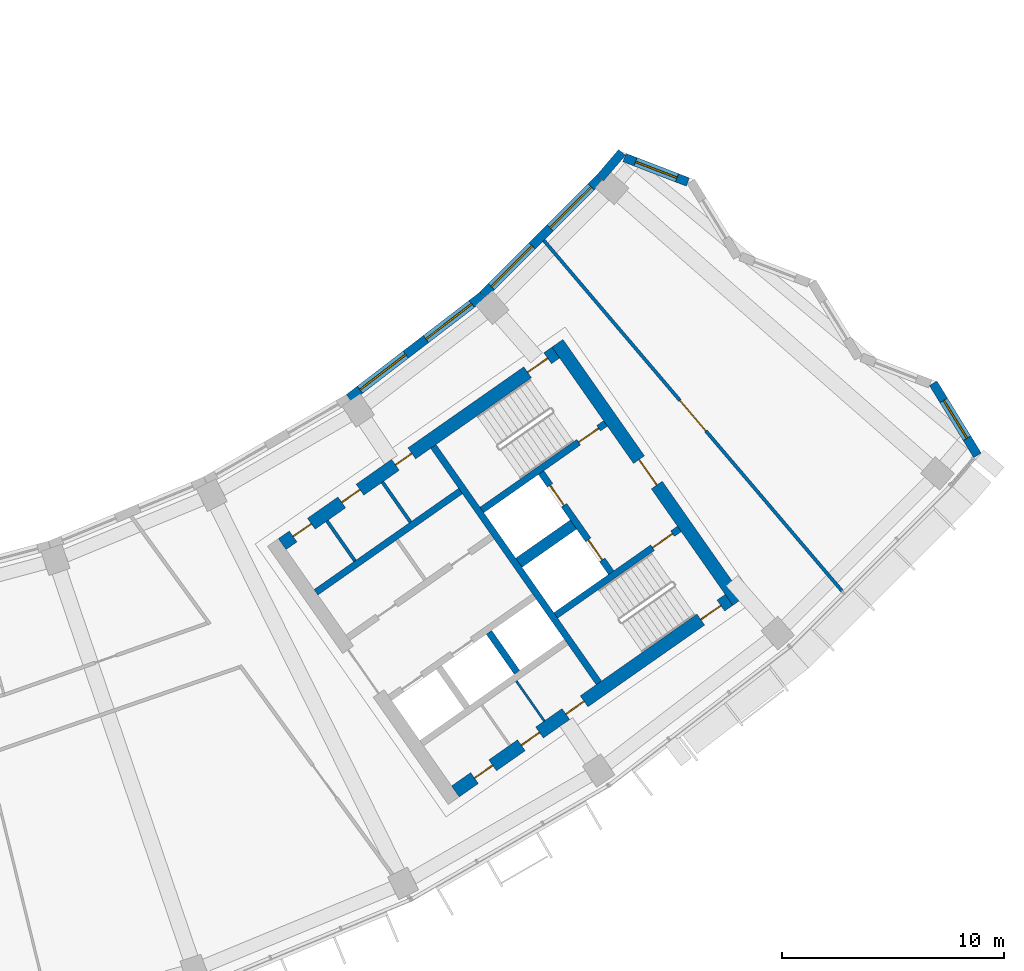
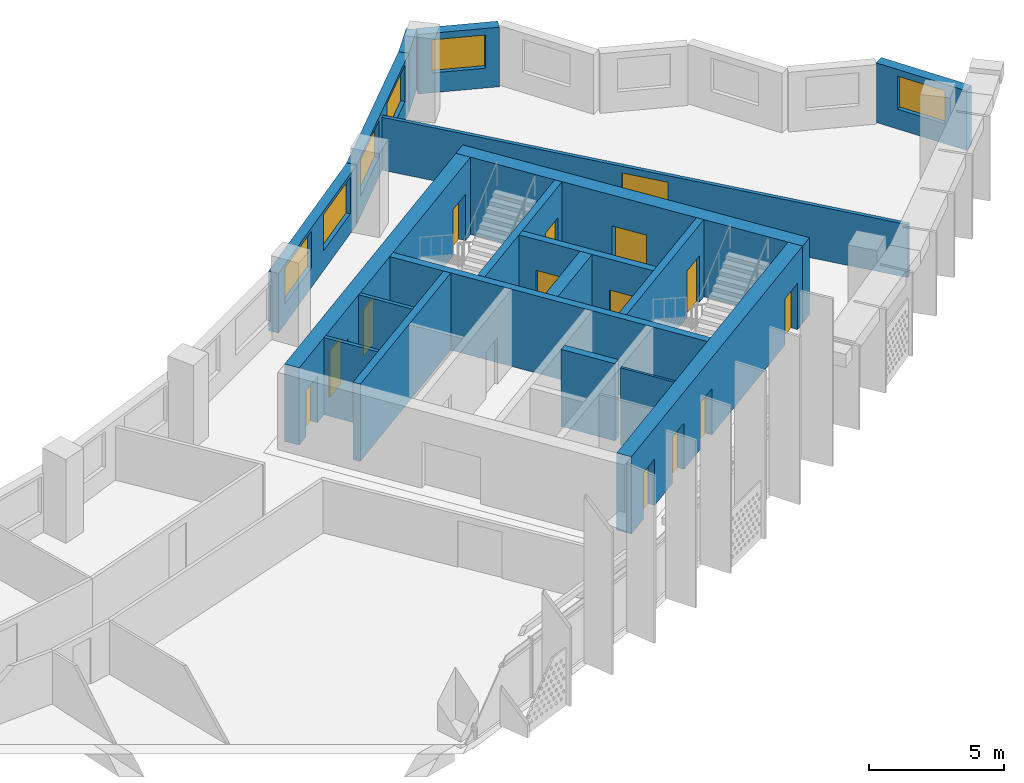
# One storey, part 7 of 27: 19 walls, 14 doors, 6 windows, 20 openings.
"""IFC4 building model written with IfcOpenShell, lengths in metres."""

from ifc_helpers import new_model, si_unit, direction, frame, frame_2d, origin, place, context, subcontext, project, spatial, rectangle, extrude, material, layer, layer_set, type_object, element, fill, save


model = new_model("IFC4")

# Units and contexts
model_context = context("Model", 3, precision=1e-05, world=origin(), true_north=direction((0.0, 1.0)))
body_context = subcontext(model_context, "Body", "Model", "MODEL_VIEW")
ifc_project = project(units=[si_unit("LENGTHUNIT", "METRE"), si_unit("AREAUNIT", "SQUARE_METRE"), si_unit("VOLUMEUNIT", "CUBIC_METRE"), si_unit("PLANEANGLEUNIT", "RADIAN"), si_unit("MASSUNIT", "GRAM", prefix="KILO")], contexts=[model_context])

# Site, building, storey
site_placement = place(None, origin())
site = spatial("IfcSite", under=ifc_project, at=site_placement, CompositionType="ELEMENT")
building_placement = place(site_placement, origin())
building = spatial("IfcBuilding", under=site, at=building_placement, Name="Qamariyya Broadcast Tower", CompositionType="ELEMENT")
storey_placement = place(building_placement, frame((0.0, 0.0, 211.300048828125)))
storey = spatial("IfcBuildingStorey", under=building, at=storey_placement, Name="L50", CompositionType="ELEMENT", Elevation=211.300048828125)

# Wall, opening, door
ifc_material_1 = material(Name="Concrete C60/75", Category="concrete")
ifc_layer_1 = layer(ifc_material_1, 0.60009765625)
ifc_layer_set_1 = layer_set([ifc_layer_1], Name="Core wall 600 mm Concrete C60/75")
wall_type_1 = type_object("IfcWallType", Name="Core wall 600 mm Concrete C60/75", PredefinedType="SHEAR", material=ifc_layer_set_1)
wall_1_placement = place(storey_placement, frame((49.4833984375, -57.031494140625, 0.0), z_axis=(0.0, 0.0, 1.0), x_axis=(-0.573560421458, 0.819163257805, 0.0)))
wall_1 = element("IfcWall", 1, at=wall_1_placement, inside=storey, type_object=wall_type_1, Name="k-E-L50-WH", PredefinedType="SHEAR", context=body_context, shape_type="SweptSolid", body=[
    extrude(rectangle(XDim=14.199951171875, YDim=0.60009765625, at=frame_2d((7.10009765625, 0.0))), origin(), (0.0, 0.0, 1.0), 3.5),
])
opening_1_placement = place(wall_1_placement, frame((6.39990234375, 0.0, 0.0)))
opening_1 = element("IfcOpeningElement", 2, at=opening_1_placement, cuts=wall_1, Name="Opening KD2-E1", PredefinedType="OPENING", context=body_context, shape_type="SweptSolid", body=[
    extrude(rectangle(XDim=1.39990234375, YDim=2.10009765625, at=frame_2d((0.699951171875, 1.050048828125))), frame((0.0, 0.31005859375, 0.0), z_axis=(0.0, -1.0, 0.0), x_axis=(1.0, 0.0, 0.0)), (0.0, 0.0, 1.0), 0.6201171875),
])
ifc_material_2 = material(Name="Steel fire-resisting door leaf", Category="steel")
door_type_1 = type_object("IfcDoorType", Name="Fire-fighting lobby door KD2", OperationType="DOUBLE_DOOR_SINGLE_SWING", PredefinedType="DOOR", material=ifc_material_2)
door_1_placement = place(opening_1_placement, origin())
door_1 = element("IfcDoor", 3, at=door_1_placement, inside=storey, type_object=door_type_1, Name="k-E-L50-WH-D14", OperationType="DOUBLE_DOOR_SINGLE_SWING", OverallHeight=2.10009765625, OverallWidth=1.39990234375, PredefinedType="DOOR", context=body_context, shape_type="SweptSolid", body=[
    extrude(rectangle(XDim=1.39990234375, YDim=2.10009765625, at=frame_2d((0.699951171875, 1.050048828125))), frame((0.0, 0.02490234375, 0.0), z_axis=(0.0, -1.0, 0.0), x_axis=(1.0, 0.0, 0.0)), (0.0, 0.0, 1.0), 0.050048828125),
])
fill(opening_1, door_1)

# Wall, openings, doors
wall_2_placement = place(storey_placement, frame((28.940673828125, -54.447021484375, 0.0), z_axis=(0.0, 0.0, 1.0), x_axis=(0.819153391756, 0.573574511963, 0.0)))
wall_2 = element("IfcWall", 4, at=wall_2_placement, inside=storey, type_object=wall_type_1, Name="k-E-L50-WI", PredefinedType="SHEAR", context=body_context, shape_type="SweptSolid", body=[
    extrude(rectangle(XDim=15.04541015625, YDim=0.60009765625, at=frame_2d((7.522705078125, 0.0))), origin(), (0.0, 0.0, 1.0), 3.5),
])
opening_2_placement = place(wall_2_placement, frame((0.60009765625, 0.0, 0.0)))
opening_2 = element("IfcOpeningElement", 5, at=opening_2_placement, cuts=wall_2, Name="Opening KD7-E1", PredefinedType="OPENING", context=body_context, shape_type="SweptSolid", body=[
    extrude(rectangle(XDim=1.0, YDim=2.10009765625, at=frame_2d((0.5, 1.050048828125))), frame((0.0, 0.31005859375, 0.0), z_axis=(0.0, -1.0, 0.0), x_axis=(1.0, 0.0, 0.0)), (0.0, 0.0, 1.0), 0.6201171875),
])
opening_3_placement = place(wall_2_placement, frame((3.27490234375, 0.0, 0.0)))
opening_3 = element("IfcOpeningElement", 6, at=opening_3_placement, cuts=wall_2, Name="Opening KD6-E3", PredefinedType="OPENING", context=body_context, shape_type="SweptSolid", body=[
    extrude(rectangle(XDim=1.0, YDim=2.10009765625, at=frame_2d((0.5, 1.050048828125))), frame((0.0, 0.31005859375, 0.0), z_axis=(0.0, -1.0, 0.0), x_axis=(1.0, 0.0, 0.0)), (0.0, 0.0, 1.0), 0.6201171875),
])
opening_4_placement = place(wall_2_placement, frame((6.22509765625, 0.0, 0.0)))
opening_4 = element("IfcOpeningElement", 7, at=opening_4_placement, cuts=wall_2, Name="Opening KD5-E1", PredefinedType="OPENING", context=body_context, shape_type="SweptSolid", body=[
    extrude(rectangle(XDim=0.89990234375, YDim=2.10009765625, at=frame_2d((0.449951171875, 1.050048828125))), frame((0.0, 0.31005859375, 0.0), z_axis=(0.0, -1.0, 0.0), x_axis=(1.0, 0.0, 0.0)), (0.0, 0.0, 1.0), 0.6201171875),
])
opening_5_placement = place(wall_2_placement, frame((13.495361328125, 0.0, 0.0)))
opening_5 = element("IfcOpeningElement", 8, at=opening_5_placement, cuts=wall_2, Name="Opening KD1-E1", PredefinedType="OPENING", context=body_context, shape_type="SweptSolid", body=[
    extrude(rectangle(XDim=1.10009765625, YDim=2.10009765625, at=frame_2d((0.550048828125, 1.050048828125))), frame((0.0, 0.31005859375, 0.0), z_axis=(0.0, -1.0, 0.0), x_axis=(1.0, 0.0, 0.0)), (0.0, 0.0, 1.0), 0.6201171875),
])
door_type_2 = type_object("IfcDoorType", Name="Accessible toilet door KD7", OperationType="SINGLE_SWING_LEFT", PredefinedType="DOOR", material=ifc_material_2)
door_2_placement = place(opening_2_placement, origin())
door_2 = element("IfcDoor", 9, at=door_2_placement, inside=storey, type_object=door_type_2, Name="k-E-L50-WI-D6", OperationType="SINGLE_SWING_RIGHT", OverallHeight=2.10009765625, OverallWidth=1.0, PredefinedType="DOOR", context=body_context, shape_type="SweptSolid", body=[
    extrude(rectangle(XDim=1.0, YDim=2.10009765625, at=frame_2d((0.5, 1.050048828125))), frame((0.0, 0.02490234375, 0.0), z_axis=(0.0, -1.0, 0.0), x_axis=(1.0, 0.0, 0.0)), (0.0, 0.0, 1.0), 0.050048828125),
])
fill(opening_2, door_2)
door_type_3 = type_object("IfcDoorType", Name="Core room door KD6", OperationType="SINGLE_SWING_LEFT", PredefinedType="DOOR", material=ifc_material_2)
door_3_placement = place(opening_3_placement, origin())
door_3 = element("IfcDoor", 10, at=door_3_placement, inside=storey, type_object=door_type_3, Name="k-E-L50-WI-D7", OperationType="SINGLE_SWING_LEFT", OverallHeight=2.10009765625, OverallWidth=1.0, PredefinedType="DOOR", context=body_context, shape_type="SweptSolid", body=[
    extrude(rectangle(XDim=1.0, YDim=2.10009765625, at=frame_2d((0.5, 1.050048828125))), frame((0.0, 0.02490234375, 0.0), z_axis=(0.0, -1.0, 0.0), x_axis=(1.0, 0.0, 0.0)), (0.0, 0.0, 1.0), 0.050048828125),
])
fill(opening_3, door_3)
door_type_4 = type_object("IfcDoorType", Name="Stair door KD1", OperationType="SINGLE_SWING_LEFT", PredefinedType="DOOR", material=ifc_material_2)
door_4_placement = place(opening_5_placement, origin())
door_4 = element("IfcDoor", 11, at=door_4_placement, inside=storey, type_object=door_type_4, Name="k-E-L50-WI-D15", OperationType="SINGLE_SWING_RIGHT", OverallHeight=2.10009765625, OverallWidth=1.10009765625, PredefinedType="DOOR", context=body_context, shape_type="SweptSolid", body=[
    extrude(rectangle(XDim=1.10009765625, YDim=2.10009765625, at=frame_2d((0.550048828125, 1.050048828125))), frame((0.0, 0.02490234375, 0.0), z_axis=(0.0, -1.0, 0.0), x_axis=(1.0, 0.0, 0.0)), (0.0, 0.0, 1.0), 0.050048828125),
])
fill(opening_5, door_4)
door_type_5 = type_object("IfcDoorType", Name="Toilet door KD5", OperationType="SINGLE_SWING_LEFT", PredefinedType="DOOR", material=ifc_material_2)
door_5_placement = place(opening_4_placement, origin())
door_5 = element("IfcDoor", 12, at=door_5_placement, inside=storey, type_object=door_type_5, Name="k-E-L50-WI-D8", OperationType="SINGLE_SWING_RIGHT", OverallHeight=2.10009765625, OverallWidth=0.89990234375, PredefinedType="DOOR", context=body_context, shape_type="SweptSolid", body=[
    extrude(rectangle(XDim=0.89990234375, YDim=2.10009765625, at=frame_2d((0.449951171875, 1.050048828125))), frame((0.0, 0.02490234375, 0.0), z_axis=(0.0, -1.0, 0.0), x_axis=(1.0, 0.0, 0.0)), (0.0, 0.0, 1.0), 0.050048828125),
])
fill(opening_4, door_5)

wall_3_placement = place(storey_placement, frame((36.7412109375, -65.58740234375, 0.0), z_axis=(0.0, 0.0, 1.0), x_axis=(0.819153391756, 0.573574511963, 0.0)))
wall_3 = element("IfcWall", 13, at=wall_3_placement, inside=storey, type_object=wall_type_1, Name="k-E-L50-WO", PredefinedType="SHEAR", context=body_context, shape_type="SweptSolid", body=[
    extrude(rectangle(XDim=15.04541015625, YDim=0.60009765625, at=frame_2d((7.522705078125, 0.0))), origin(), (0.0, 0.0, 1.0), 3.5),
])
opening_6_placement = place(wall_3_placement, frame((1.050048828125, 0.0, 0.0)))
opening_6 = element("IfcOpeningElement", 14, at=opening_6_placement, cuts=wall_3, Name="Opening KD4-E1", PredefinedType="OPENING", context=body_context, shape_type="SweptSolid", body=[
    extrude(rectangle(XDim=1.0, YDim=2.10009765625, at=frame_2d((0.5, 1.050048828125))), frame((0.0, 0.31005859375, 0.0), z_axis=(0.0, -1.0, 0.0), x_axis=(1.0, 0.0, 0.0)), (0.0, 0.0, 1.0), 0.6201171875),
])
opening_7_placement = place(wall_3_placement, frame((3.625, 0.0, 0.0)))
opening_7 = element("IfcOpeningElement", 15, at=opening_7_placement, cuts=wall_3, Name="Opening KD4-E2", PredefinedType="OPENING", context=body_context, shape_type="SweptSolid", body=[
    extrude(rectangle(XDim=1.0, YDim=2.10009765625, at=frame_2d((0.5, 1.050048828125))), frame((0.0, 0.31005859375, 0.0), z_axis=(0.0, -1.0, 0.0), x_axis=(1.0, 0.0, 0.0)), (0.0, 0.0, 1.0), 0.6201171875),
])
opening_8_placement = place(wall_3_placement, frame((6.074951171875, 0.0, 0.0)))
opening_8 = element("IfcOpeningElement", 16, at=opening_8_placement, cuts=wall_3, Name="Opening KD6-E4", PredefinedType="OPENING", context=body_context, shape_type="SweptSolid", body=[
    extrude(rectangle(XDim=1.0, YDim=2.10009765625, at=frame_2d((0.5, 1.050048828125))), frame((0.0, 0.31005859375, 0.0), z_axis=(0.0, -1.0, 0.0), x_axis=(1.0, 0.0, 0.0)), (0.0, 0.0, 1.0), 0.6201171875),
])
opening_9_placement = place(wall_3_placement, frame((13.495361328125, 0.0, 0.0)))
opening_9 = element("IfcOpeningElement", 17, at=opening_9_placement, cuts=wall_3, Name="Opening KD1-E3", PredefinedType="OPENING", context=body_context, shape_type="SweptSolid", body=[
    extrude(rectangle(XDim=1.10009765625, YDim=2.10009765625, at=frame_2d((0.550048828125, 1.050048828125))), frame((0.0, 0.31005859375, 0.0), z_axis=(0.0, -1.0, 0.0), x_axis=(1.0, 0.0, 0.0)), (0.0, 0.0, 1.0), 0.6201171875),
])
door_6_placement = place(opening_8_placement, origin())
door_6 = element("IfcDoor", 18, at=door_6_placement, inside=storey, type_object=door_type_3, Name="k-E-L50-WO-D11", OperationType="SINGLE_SWING_LEFT", OverallHeight=2.10009765625, OverallWidth=1.0, PredefinedType="DOOR", context=body_context, shape_type="SweptSolid", body=[
    extrude(rectangle(XDim=1.0, YDim=2.10009765625, at=frame_2d((0.5, 1.050048828125))), frame((0.0, 0.02490234375, 0.0), z_axis=(0.0, -1.0, 0.0), x_axis=(1.0, 0.0, 0.0)), (0.0, 0.0, 1.0), 0.050048828125),
])
fill(opening_8, door_6)
door_type_6 = type_object("IfcDoorType", Name="Riser and plant door KD4", OperationType="SINGLE_SWING_LEFT", PredefinedType="DOOR", material=ifc_material_2)
door_7_placement = place(opening_6_placement, origin())
door_7 = element("IfcDoor", 19, at=door_7_placement, inside=storey, type_object=door_type_6, Name="k-E-L50-WO-D9", OperationType="SINGLE_SWING_LEFT", OverallHeight=2.10009765625, OverallWidth=1.0, PredefinedType="DOOR", context=body_context, shape_type="SweptSolid", body=[
    extrude(rectangle(XDim=1.0, YDim=2.10009765625, at=frame_2d((0.5, 1.050048828125))), frame((0.0, 0.02490234375, 0.0), z_axis=(0.0, -1.0, 0.0), x_axis=(1.0, 0.0, 0.0)), (0.0, 0.0, 1.0), 0.050048828125),
])
fill(opening_6, door_7)
door_8_placement = place(opening_7_placement, origin())
door_8 = element("IfcDoor", 20, at=door_8_placement, inside=storey, type_object=door_type_6, Name="k-E-L50-WO-D10", OperationType="SINGLE_SWING_RIGHT", OverallHeight=2.10009765625, OverallWidth=1.0, PredefinedType="DOOR", context=body_context, shape_type="SweptSolid", body=[
    extrude(rectangle(XDim=1.0, YDim=2.10009765625, at=frame_2d((0.5, 1.050048828125))), frame((0.0, 0.02490234375, 0.0), z_axis=(0.0, -1.0, 0.0), x_axis=(1.0, 0.0, 0.0)), (0.0, 0.0, 1.0), 0.050048828125),
])
fill(opening_7, door_8)
door_9_placement = place(opening_9_placement, origin())
door_9 = element("IfcDoor", 21, at=door_9_placement, inside=storey, type_object=door_type_4, Name="k-E-L50-WO-D17", OperationType="SINGLE_SWING_LEFT", OverallHeight=2.10009765625, OverallWidth=1.10009765625, PredefinedType="DOOR", context=body_context, shape_type="SweptSolid", body=[
    extrude(rectangle(XDim=1.10009765625, YDim=2.10009765625, at=frame_2d((0.550048828125, 1.050048828125))), frame((0.0, 0.02490234375, 0.0), z_axis=(0.0, -1.0, 0.0), x_axis=(1.0, 0.0, 0.0)), (0.0, 0.0, 1.0), 0.050048828125),
])
fill(opening_9, door_9)

# Wall, opening, door
ifc_material_3 = material(Name="Gypsum board partition")
ifc_layer_2 = layer(ifc_material_3, 0.14990234375)
ifc_layer_set_2 = layer_set([ifc_layer_2], Name="Corridor partition 150 EI 60")
wall_type_2 = type_object("IfcWallType", Name="Corridor partition 150 EI 60", PredefinedType="PARTITIONING", material=ifc_layer_set_2)
wall_4_placement = place(storey_placement, frame((40.724853515625, -40.7705078125, 0.0), z_axis=(0.0, 0.0, 1.0), x_axis=(0.647962636986, -0.761672121762, 0.0)))
wall_4 = element("IfcWall", 22, at=wall_4_placement, inside=storey, type_object=wall_type_2, Name="Partition L50-026", PredefinedType="PARTITIONING", context=body_context, shape_type="SweptSolid", body=[
    extrude(rectangle(XDim=20.723388671875, YDim=0.14990234375, at=frame_2d((10.36181640625, 0.0))), origin(), (0.0, 0.0, 1.0), 2.39990234375),
])
opening_10_placement = place(wall_4_placement, frame((9.461669921875, 0.0, 0.0)))
opening_10 = element("IfcOpeningElement", 23, at=opening_10_placement, cuts=wall_4, Name="Opening L50-D13", PredefinedType="OPENING", context=body_context, shape_type="SweptSolid", body=[
    extrude(rectangle(XDim=1.800048828125, YDim=2.10009765625, at=frame_2d((0.89990234375, 1.050048828125))), frame((0.0, 0.0849609375, 0.0), z_axis=(0.0, -1.0, 0.0), x_axis=(1.0, 0.0, 0.0)), (0.0, 0.0, 1.0), 0.169921875),
])
ifc_material_4 = material(Name="Timber fire door leaf", Category="wood")
door_type_7 = type_object("IfcDoorType", Name="Double fire door 1800 x 2100 FD60", OperationType="NOTDEFINED", PredefinedType="DOOR", material=ifc_material_4)
door_10_placement = place(opening_10_placement, origin())
door_10 = element("IfcDoor", 24, at=door_10_placement, inside=storey, type_object=door_type_7, Name="Door L50-D13", OperationType="DOUBLE_DOOR_SINGLE_SWING", OverallHeight=2.10009765625, OverallWidth=1.800048828125, PredefinedType="DOOR", context=body_context, shape_type="SweptSolid", body=[
    extrude(rectangle(XDim=1.800048828125, YDim=2.10009765625, at=frame_2d((0.89990234375, 1.050048828125))), frame((0.0, 0.02490234375, 0.0), z_axis=(0.0, -1.0, 0.0), x_axis=(1.0, 0.0, 0.0)), (0.0, 0.0, 1.0), 0.050048828125),
])
fill(opening_10, door_10)

# Walls
ifc_layer_3 = layer(ifc_material_1, 0.5)
ifc_layer_set_3 = layer_set([ifc_layer_3], Name="Fire-fighting lobby divider wall 500 mm Concrete C60/75")
wall_type_3 = type_object("IfcWallType", Name="Fire-fighting lobby divider wall 500 mm Concrete C60/75", PredefinedType="SOLIDWALL", material=ifc_layer_set_3)
wall_5_placement = place(storey_placement, frame((39.59912109375, -55.28515625, 0.0), z_axis=(0.0, 0.0, 1.0), x_axis=(0.819136323161, 0.573598887793, 0.0)))
element("IfcWall", 25, at=wall_5_placement, inside=storey, type_object=wall_type_3, Name="k-E-L50-FD", PredefinedType="SOLIDWALL", context=body_context, shape_type="SweptSolid", body=[
    extrude(rectangle(XDim=2.999755859375, YDim=0.5, at=frame_2d((1.5, 0.0))), origin(), (0.0, 0.0, 1.0), 3.5),
])
ifc_material_5 = material(Name="Gypsum board partition on steel studs", Category="steel")
ifc_layer_4 = layer(ifc_material_5, 0.14990234375)
ifc_layer_set_4 = layer_set([ifc_layer_4], Name="Gypsum board partition 150 mm")
wall_type_4 = type_object("IfcWallType", Name="Gypsum board partition 150 mm", PredefinedType="PARTITIONING", material=ifc_layer_set_4)
wall_6_placement = place(storey_placement, frame((32.2177734375, -55.204345703125, 0.0), z_axis=(0.0, 0.0, 1.0), x_axis=(-0.573581496053, 0.819148501424, 0.0)))
element("IfcWall", 26, at=wall_6_placement, inside=storey, type_object=wall_type_4, Name="k-E-L50-NP225", PredefinedType="PARTITIONING", context=body_context, shape_type="SweptSolid", body=[
    extrude(rectangle(XDim=2.2001953125, YDim=0.14990234375, at=frame_2d((1.10009765625, 0.0))), origin(), (0.0, 0.0, 1.0), 3.5),
])
wall_7_placement = place(storey_placement, frame((34.716064453125, -53.454833984375, 0.0), z_axis=(0.0, 0.0, 1.0), x_axis=(-0.573507030513, 0.819200638399, 0.0)))
element("IfcWall", 27, at=wall_7_placement, inside=storey, type_object=wall_type_4, Name="k-E-L50-NP530", PredefinedType="PARTITIONING", context=body_context, shape_type="SweptSolid", body=[
    extrude(rectangle(XDim=2.199951171875, YDim=0.14990234375, at=frame_2d((1.10009765625, 0.0))), origin(), (0.0, 0.0, 1.0), 3.5),
])
ifc_layer_5 = layer(ifc_material_1, 0.300048828125)
ifc_layer_set_5 = layer_set([ifc_layer_5], Name="Lift shaft wall 300 mm Concrete C60/75")
wall_type_5 = type_object("IfcWallType", Name="Lift shaft wall 300 mm Concrete C60/75", PredefinedType="SOLIDWALL", material=ifc_layer_set_5)
wall_8_placement = place(storey_placement, frame((43.204345703125, -60.69580078125, 0.0), z_axis=(0.0, 0.0, 1.0), x_axis=(-0.573571992966, 0.819155155563, 0.0)))
element("IfcWall", 28, at=wall_8_placement, inside=storey, type_object=wall_type_5, Name="k-E-L50-WL", PredefinedType="SOLIDWALL", context=body_context, shape_type="SweptSolid", body=[
    extrude(rectangle(XDim=13.000244140625, YDim=0.300048828125, at=frame_2d((6.5, 0.0))), origin(), (0.0, 0.0, 1.0), 3.5),
])
wall_9_placement = place(storey_placement, frame((30.460693359375, -56.61767578125, 0.0), z_axis=(0.0, 0.0, 1.0), x_axis=(0.819142461705, 0.573590121456, 0.0)))
element("IfcWall", 29, at=wall_9_placement, inside=storey, type_object=wall_type_5, Name="k-E-L50-NB0", PredefinedType="SOLIDWALL", context=body_context, shape_type="SweptSolid", body=[
    extrude(rectangle(XDim=7.949951171875, YDim=0.300048828125, at=frame_2d((3.97509765625, 0.0))), origin(), (0.0, 0.0, 1.0), 3.5),
])
wall_10_placement = place(storey_placement, frame((38.255859375, -58.423095703125, 0.0), z_axis=(0.0, 0.0, 1.0), x_axis=(0.573633636671, -0.819111989218, 0.0)))
element("IfcWall", 30, at=wall_10_placement, inside=storey, type_object=wall_type_5, Name="k-E-L50-SD1", PredefinedType="SOLIDWALL", context=body_context, shape_type="SweptSolid", body=[
    extrude(rectangle(XDim=2.199951171875, YDim=0.300048828125, at=frame_2d((1.10009765625, 0.0))), origin(), (0.0, 0.0, 1.0), 3.5),
])

# Wall, opening, door
wall_11_placement = place(storey_placement, frame((37.935546875, -52.90966796875, 0.0), z_axis=(0.0, 0.0, 1.0), x_axis=(0.819147518138, 0.57358290031, 0.0)))
wall_11 = element("IfcWall", 31, at=wall_11_placement, inside=storey, type_object=wall_type_5, Name="k-E-L50-NW", PredefinedType="SOLIDWALL", context=body_context, shape_type="SweptSolid", body=[
    extrude(rectangle(XDim=6.79541015625, YDim=0.300048828125, at=frame_2d((3.397705078125, 0.0))), origin(), (0.0, 0.0, 1.0), 3.5),
])
opening_11_placement = place(wall_11_placement, frame((5.3203125, 0.0, 0.0)))
opening_11 = element("IfcOpeningElement", 32, at=opening_11_placement, cuts=wall_11, Name="Opening KD1-E2", PredefinedType="OPENING", context=body_context, shape_type="SweptSolid", body=[
    extrude(rectangle(XDim=1.10009765625, YDim=2.10009765625, at=frame_2d((0.550048828125, 1.050048828125))), frame((0.0, 0.159912109375, 0.0), z_axis=(0.0, -1.0, 0.0), x_axis=(1.0, 0.0, 0.0)), (0.0, 0.0, 1.0), 0.320068359375),
])
door_11_placement = place(opening_11_placement, origin())
door_11 = element("IfcDoor", 33, at=door_11_placement, inside=storey, type_object=door_type_4, Name="k-E-L50-NW-D16", OperationType="SINGLE_SWING_RIGHT", OverallHeight=2.10009765625, OverallWidth=1.10009765625, PredefinedType="DOOR", context=body_context, shape_type="SweptSolid", body=[
    extrude(rectangle(XDim=1.10009765625, YDim=2.10009765625, at=frame_2d((0.550048828125, 1.050048828125))), frame((0.0, 0.02490234375, 0.0), z_axis=(0.0, -1.0, 0.0), x_axis=(1.0, 0.0, 0.0)), (0.0, 0.0, 1.0), 0.050048828125),
])
fill(opening_11, door_11)

wall_12_placement = place(storey_placement, frame((41.262451171875, -57.66064453125, 0.0), z_axis=(0.0, 0.0, 1.0), x_axis=(0.819164398642, 0.573558792102, 0.0)))
wall_12 = element("IfcWall", 34, at=wall_12_placement, inside=storey, type_object=wall_type_5, Name="k-E-L50-SW", PredefinedType="SOLIDWALL", context=body_context, shape_type="SweptSolid", body=[
    extrude(rectangle(XDim=6.795166015625, YDim=0.300048828125, at=frame_2d((3.3974609375, 0.0))), origin(), (0.0, 0.0, 1.0), 3.5),
])
opening_12_placement = place(wall_12_placement, frame((5.3203125, 0.0, 0.0)))
opening_12 = element("IfcOpeningElement", 35, at=opening_12_placement, cuts=wall_12, Name="Opening KD1-E4", PredefinedType="OPENING", context=body_context, shape_type="SweptSolid", body=[
    extrude(rectangle(XDim=1.10009765625, YDim=2.10009765625, at=frame_2d((0.550048828125, 1.050048828125))), frame((0.0, 0.159912109375, 0.0), z_axis=(0.0, -1.0, 0.0), x_axis=(1.0, 0.0, 0.0)), (0.0, 0.0, 1.0), 0.320068359375),
])
door_12_placement = place(opening_12_placement, origin())
door_12 = element("IfcDoor", 36, at=door_12_placement, inside=storey, type_object=door_type_4, Name="k-E-L50-SW-D18", OperationType="SINGLE_SWING_RIGHT", OverallHeight=2.10009765625, OverallWidth=1.10009765625, PredefinedType="DOOR", context=body_context, shape_type="SweptSolid", body=[
    extrude(rectangle(XDim=1.10009765625, YDim=2.10009765625, at=frame_2d((0.550048828125, 1.050048828125))), frame((0.0, 0.02490234375, 0.0), z_axis=(0.0, -1.0, 0.0), x_axis=(1.0, 0.0, 0.0)), (0.0, 0.0, 1.0), 0.050048828125),
])
fill(opening_12, door_12)

# Wall, openings, doors
wall_13_placement = place(storey_placement, frame((43.756591796875, -55.731201171875, 0.0), z_axis=(0.0, 0.0, 1.0), x_axis=(-0.573536818435, 0.819179783625, 0.0)))
wall_13 = element("IfcWall", 37, at=wall_13_placement, inside=storey, type_object=wall_type_5, Name="k-E-L50-FF", PredefinedType="SOLIDWALL", context=body_context, shape_type="SweptSolid", body=[
    extrude(rectangle(XDim=5.500244140625, YDim=0.300048828125, at=frame_2d((2.75, 0.0))), origin(), (0.0, 0.0, 1.0), 3.5),
])
opening_13_placement = place(wall_13_placement, frame((0.699951171875, 0.0, 0.0)))
opening_13 = element("IfcOpeningElement", 38, at=opening_13_placement, cuts=wall_13, Name="Opening LD", PredefinedType="OPENING", context=body_context, shape_type="SweptSolid", body=[
    extrude(rectangle(XDim=1.10009765625, YDim=2.10009765625, at=frame_2d((0.550048828125, 1.050048828125))), frame((0.0, 0.159912109375, 0.0), z_axis=(0.0, -1.0, 0.0), x_axis=(1.0, 0.0, 0.0)), (0.0, 0.0, 1.0), 0.320068359375),
])
opening_14_placement = place(wall_13_placement, frame((3.699951171875, 0.0, 0.0)))
opening_14 = element("IfcOpeningElement", 39, at=opening_14_placement, cuts=wall_13, Name="Opening LD", PredefinedType="OPENING", context=body_context, shape_type="SweptSolid", body=[
    extrude(rectangle(XDim=1.10009765625, YDim=2.10009765625, at=frame_2d((0.550048828125, 1.050048828125))), frame((0.0, 0.159912109375, 0.0), z_axis=(0.0, -1.0, 0.0), x_axis=(1.0, 0.0, 0.0)), (0.0, 0.0, 1.0), 0.320068359375),
])
door_type_8 = type_object("IfcDoorType", Name="Lift landing door LD", OperationType="DOUBLE_DOOR_SLIDING", PredefinedType="DOOR", material=ifc_material_2)
door_13_placement = place(opening_13_placement, origin())
door_13 = element("IfcDoor", 40, at=door_13_placement, inside=storey, type_object=door_type_8, Name="k-E-L50-FF-D12", OperationType="DOUBLE_DOOR_SLIDING", OverallHeight=2.10009765625, OverallWidth=1.10009765625, PredefinedType="DOOR", context=body_context, shape_type="SweptSolid", body=[
    extrude(rectangle(XDim=1.10009765625, YDim=2.10009765625, at=frame_2d((0.550048828125, 1.050048828125))), frame((0.0, 0.02490234375, 0.0), z_axis=(0.0, -1.0, 0.0), x_axis=(1.0, 0.0, 0.0)), (0.0, 0.0, 1.0), 0.050048828125),
])
fill(opening_13, door_13)
door_14_placement = place(opening_14_placement, origin())
door_14 = element("IfcDoor", 41, at=door_14_placement, inside=storey, type_object=door_type_8, Name="k-E-L50-FF-D13", OperationType="DOUBLE_DOOR_SLIDING", OverallHeight=2.10009765625, OverallWidth=1.10009765625, PredefinedType="DOOR", context=body_context, shape_type="SweptSolid", body=[
    extrude(rectangle(XDim=1.10009765625, YDim=2.10009765625, at=frame_2d((0.550048828125, 1.050048828125))), frame((0.0, 0.02490234375, 0.0), z_axis=(0.0, -1.0, 0.0), x_axis=(1.0, 0.0, 0.0)), (0.0, 0.0, 1.0), 0.050048828125),
])
fill(opening_14, door_14)

# Wall
ifc_material_6 = material(Name="Fire-rated gypsum shaft liner on steel studs", Category="steel")
ifc_layer_6 = layer(ifc_material_6, 0.10009765625)
ifc_layer_set_6 = layer_set([ifc_layer_6], Name="Riser wall 100 mm")
wall_type_6 = type_object("IfcWallType", Name="Riser wall 100 mm", PredefinedType="PLUMBINGWALL", material=ifc_layer_set_6)
wall_14_placement = place(storey_placement, frame((39.485107421875, -60.6142578125, 0.0), z_axis=(0.0, 0.0, 1.0), x_axis=(0.573507030513, -0.819200638399, 0.0)))
element("IfcWall", 42, at=wall_14_placement, inside=storey, type_object=wall_type_6, Name="k-E-L50-SP510", PredefinedType="PLUMBINGWALL", context=body_context, shape_type="SweptSolid", body=[
    extrude(rectangle(XDim=2.199951171875, YDim=0.10009765625, at=frame_2d((1.10009765625, 0.0))), origin(), (0.0, 0.0, 1.0), 3.5),
])

# Wall, opening, window
ifc_material_7 = material(Name="Terracotta", Category="masonry")
ifc_layer_7 = layer(ifc_material_7, 0.39990234375)
ifc_layer_set_7 = layer_set([ifc_layer_7], Name="Terracotta clad wall 400")
wall_type_7 = type_object("IfcWallType", Name="Terracotta clad wall 400", PredefinedType="SOLIDWALL", material=ifc_layer_set_7)
wall_15_placement = place(storey_placement, frame((60.257568359375, -50.446533203125, 0.0), z_axis=(0.0, 0.0, 1.0), x_axis=(-0.523600248506, 0.851964071874, 0.0)))
wall_15 = element("IfcWall", 43, at=wall_15_placement, inside=storey, type_object=wall_type_7, Name="e-wl-L50-capE0", PredefinedType="SOLIDWALL", context=body_context, shape_type="SweptSolid", body=[
    extrude(rectangle(XDim=3.80908203125, YDim=0.39990234375, at=frame_2d((1.904541015625, 0.0))), origin(), (0.0, 0.0, 1.0), 2.699951171875),
])
opening_15_placement = place(wall_15_placement, frame((0.904296875, 0.0, 0.89990234375)))
opening_15 = element("IfcOpeningElement", 44, at=opening_15_placement, cuts=wall_15, Name="Opening W4", PredefinedType="OPENING", context=body_context, shape_type="SweptSolid", body=[
    extrude(rectangle(XDim=2.0, YDim=1.5, at=frame_2d((1.0, 0.75))), frame((0.0, 0.2099609375, 0.0), z_axis=(0.0, -1.0, 0.0), x_axis=(1.0, 0.0, 0.0)), (0.0, 0.0, 1.0), 0.419921875),
])
ifc_material_8 = material(Name="Clear low-e double glazed unit in aluminium frame", Category="aluminium")
window_type_1 = type_object("IfcWindowType", Name="Horn bay window 2000 x 1500", PartitioningType="SINGLE_PANEL", PredefinedType="WINDOW", material=ifc_material_8)
window_1_placement = place(opening_15_placement, origin())
window_1 = element("IfcWindow", 45, at=window_1_placement, inside=storey, type_object=window_type_1, Name="e-w-L50-capE0", OverallHeight=1.5, OverallWidth=2.0, PartitioningType="SINGLE_PANEL", PredefinedType="WINDOW", context=body_context, shape_type="SweptSolid", body=[
    extrude(rectangle(XDim=2.0, YDim=1.5, at=frame_2d((1.0, 0.75))), frame((0.0, 0.030029296875, 0.0), z_axis=(0.0, -1.0, 0.0), x_axis=(1.0, 0.0, 0.0)), (0.0, 0.0, 1.0), 0.06005859375),
])
fill(opening_15, window_1)

wall_16_placement = place(storey_placement, frame((47.21240234375, -38.135498046875, 0.0), z_axis=(0.0, 0.0, 1.0), x_axis=(-0.933193311435, 0.359374795295, 0.0)))
wall_16 = element("IfcWall", 46, at=wall_16_placement, inside=storey, type_object=wall_type_7, Name="e-wl-L50-capE5", PredefinedType="SOLIDWALL", context=body_context, shape_type="SweptSolid", body=[
    extrude(rectangle(XDim=3.05908203125, YDim=0.39990234375, at=frame_2d((1.529541015625, 0.0))), origin(), (0.0, 0.0, 1.0), 2.699951171875),
])
opening_16_placement = place(wall_16_placement, frame((0.529541015625, 0.0, 0.89990234375)))
opening_16 = element("IfcOpeningElement", 47, at=opening_16_placement, cuts=wall_16, Name="Opening W4", PredefinedType="OPENING", context=body_context, shape_type="SweptSolid", body=[
    extrude(rectangle(XDim=2.0, YDim=1.5, at=frame_2d((1.0, 0.75))), frame((0.0, 0.2099609375, 0.0), z_axis=(0.0, -1.0, 0.0), x_axis=(1.0, 0.0, 0.0)), (0.0, 0.0, 1.0), 0.419921875),
])
window_2_placement = place(opening_16_placement, origin())
window_2 = element("IfcWindow", 48, at=window_2_placement, inside=storey, type_object=window_type_1, Name="e-w-L50-capE5", OverallHeight=1.5, OverallWidth=2.0, PartitioningType="SINGLE_PANEL", PredefinedType="WINDOW", context=body_context, shape_type="SweptSolid", body=[
    extrude(rectangle(XDim=2.0, YDim=1.5, at=frame_2d((1.0, 0.75))), frame((0.0, 0.030029296875, 0.0), z_axis=(0.0, -1.0, 0.0), x_axis=(1.0, 0.0, 0.0)), (0.0, 0.0, 1.0), 0.06005859375),
])
fill(opening_16, window_2)

# Wall, openings, windows
wall_17_placement = place(storey_placement, frame((37.965576171875, -43.25341796875, 0.0), z_axis=(0.0, 0.0, 1.0), x_axis=(-0.793356365089, -0.608757486995, 0.0)))
wall_17 = element("IfcWall", 49, at=wall_17_placement, inside=storey, type_object=wall_type_7, Name="e-wl-L50-in130", PredefinedType="SOLIDWALL", context=body_context, shape_type="SweptSolid", body=[
    extrude(rectangle(XDim=7.578125, YDim=0.39990234375, at=frame_2d((3.7890625, 0.0))), origin(), (0.0, 0.0, 1.0), 2.699951171875),
])
opening_17_placement = place(wall_17_placement, frame((4.364501953125, 0.0, 0.89990234375)))
opening_17 = element("IfcOpeningElement", 50, at=opening_17_placement, cuts=wall_17, Name="Opening W1", PredefinedType="OPENING", context=body_context, shape_type="SweptSolid", body=[
    extrude(rectangle(XDim=2.60009765625, YDim=1.64990234375, at=frame_2d((1.300048828125, 0.824951171875))), frame((0.0, 0.2099609375, 0.0), z_axis=(0.0, -1.0, 0.0), x_axis=(1.0, 0.0, 0.0)), (0.0, 0.0, 1.0), 0.419921875),
])
opening_18_placement = place(wall_17_placement, frame((0.613525390625, 0.0, 0.89990234375)))
opening_18 = element("IfcOpeningElement", 51, at=opening_18_placement, cuts=wall_17, Name="Opening W1", PredefinedType="OPENING", context=body_context, shape_type="SweptSolid", body=[
    extrude(rectangle(XDim=2.60009765625, YDim=1.64990234375, at=frame_2d((1.300048828125, 0.824951171875))), frame((0.0, 0.2099609375, 0.0), z_axis=(0.0, -1.0, 0.0), x_axis=(1.0, 0.0, 0.0)), (0.0, 0.0, 1.0), 0.419921875),
])
window_type_2 = type_object("IfcWindowType", Name="Ribbon window 2600 x 1650", PartitioningType="SINGLE_PANEL", PredefinedType="WINDOW", material=ifc_material_8)
window_3_placement = place(opening_17_placement, origin())
window_3 = element("IfcWindow", 52, at=window_3_placement, inside=storey, type_object=window_type_2, Name="e-w-L50-in13-0", OverallHeight=1.64990234375, OverallWidth=2.60009765625, PartitioningType="SINGLE_PANEL", PredefinedType="WINDOW", context=body_context, shape_type="SweptSolid", body=[
    extrude(rectangle(XDim=2.60009765625, YDim=1.64990234375, at=frame_2d((1.300048828125, 0.824951171875))), frame((0.0, 0.030029296875, 0.0), z_axis=(0.0, -1.0, 0.0), x_axis=(1.0, 0.0, 0.0)), (0.0, 0.0, 1.0), 0.06005859375),
])
fill(opening_17, window_3)
window_4_placement = place(opening_18_placement, origin())
window_4 = element("IfcWindow", 53, at=window_4_placement, inside=storey, type_object=window_type_2, Name="e-w-L50-in13-1", OverallHeight=1.64990234375, OverallWidth=2.60009765625, PartitioningType="SINGLE_PANEL", PredefinedType="WINDOW", context=body_context, shape_type="SweptSolid", body=[
    extrude(rectangle(XDim=2.60009765625, YDim=1.64990234375, at=frame_2d((1.300048828125, 0.824951171875))), frame((0.0, 0.030029296875, 0.0), z_axis=(0.0, -1.0, 0.0), x_axis=(1.0, 0.0, 0.0)), (0.0, 0.0, 1.0), 0.06005859375),
])
fill(opening_18, window_4)

wall_18_placement = place(storey_placement, frame((43.243408203125, -37.970947265625, 0.0), z_axis=(0.0, 0.0, 1.0), x_axis=(-0.707106781187, -0.707106781187, 0.0)))
wall_18 = element("IfcWall", 54, at=wall_18_placement, inside=storey, type_object=wall_type_7, Name="e-wl-L50-in140", PredefinedType="SOLIDWALL", context=body_context, shape_type="SweptSolid", body=[
    extrude(rectangle(XDim=7.441650390625, YDim=0.39990234375, at=frame_2d((3.720703125, 0.0))), origin(), (0.0, 0.0, 1.0), 2.699951171875),
])
opening_19_placement = place(wall_18_placement, frame((4.3037109375, 0.0, 0.89990234375)))
opening_19 = element("IfcOpeningElement", 55, at=opening_19_placement, cuts=wall_18, Name="Opening W1", PredefinedType="OPENING", context=body_context, shape_type="SweptSolid", body=[
    extrude(rectangle(XDim=2.60009765625, YDim=1.64990234375, at=frame_2d((1.300048828125, 0.824951171875))), frame((0.0, 0.2099609375, 0.0), z_axis=(0.0, -1.0, 0.0), x_axis=(1.0, 0.0, 0.0)), (0.0, 0.0, 1.0), 0.419921875),
])
opening_20_placement = place(wall_18_placement, frame((0.552734375, 0.0, 0.89990234375)))
opening_20 = element("IfcOpeningElement", 56, at=opening_20_placement, cuts=wall_18, Name="Opening W1", PredefinedType="OPENING", context=body_context, shape_type="SweptSolid", body=[
    extrude(rectangle(XDim=2.60009765625, YDim=1.64990234375, at=frame_2d((1.300048828125, 0.824951171875))), frame((0.0, 0.2099609375, 0.0), z_axis=(0.0, -1.0, 0.0), x_axis=(1.0, 0.0, 0.0)), (0.0, 0.0, 1.0), 0.419921875),
])
window_5_placement = place(opening_19_placement, origin())
window_5 = element("IfcWindow", 57, at=window_5_placement, inside=storey, type_object=window_type_2, Name="e-w-L50-in14-0", OverallHeight=1.64990234375, OverallWidth=2.60009765625, PartitioningType="SINGLE_PANEL", PredefinedType="WINDOW", context=body_context, shape_type="SweptSolid", body=[
    extrude(rectangle(XDim=2.60009765625, YDim=1.64990234375, at=frame_2d((1.300048828125, 0.824951171875))), frame((0.0, 0.030029296875, 0.0), z_axis=(0.0, -1.0, 0.0), x_axis=(1.0, 0.0, 0.0)), (0.0, 0.0, 1.0), 0.06005859375),
])
fill(opening_19, window_5)
window_6_placement = place(opening_20_placement, origin())
window_6 = element("IfcWindow", 58, at=window_6_placement, inside=storey, type_object=window_type_2, Name="e-w-L50-in14-1", OverallHeight=1.64990234375, OverallWidth=2.60009765625, PartitioningType="SINGLE_PANEL", PredefinedType="WINDOW", context=body_context, shape_type="SweptSolid", body=[
    extrude(rectangle(XDim=2.60009765625, YDim=1.64990234375, at=frame_2d((1.300048828125, 0.824951171875))), frame((0.0, 0.030029296875, 0.0), z_axis=(0.0, -1.0, 0.0), x_axis=(1.0, 0.0, 0.0)), (0.0, 0.0, 1.0), 0.06005859375),
])
fill(opening_20, window_6)

# Wall
wall_19_placement = place(storey_placement, frame((44.246337890625, -36.80126953125, 0.0), z_axis=(0.0, 0.0, 1.0), x_axis=(-0.64981545422, -0.760092017756, 0.0)))
element("IfcWall", 59, at=wall_19_placement, inside=storey, type_object=wall_type_7, Name="e-wl-L50-in150", PredefinedType="SOLIDWALL", context=body_context, shape_type="SweptSolid", body=[
    extrude(rectangle(XDim=1.525390625, YDim=0.39990234375, at=frame_2d((0.7626953125, 0.0))), origin(), (0.0, 0.0, 1.0), 2.699951171875),
])

save(model, "model.ifc")
